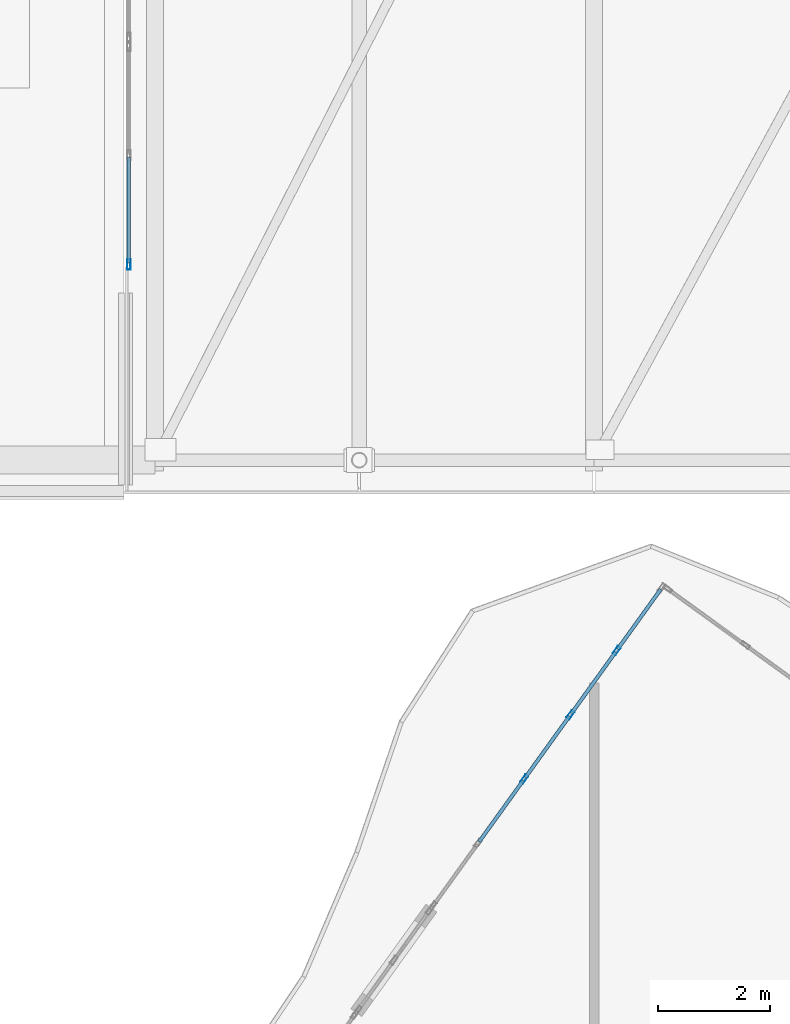
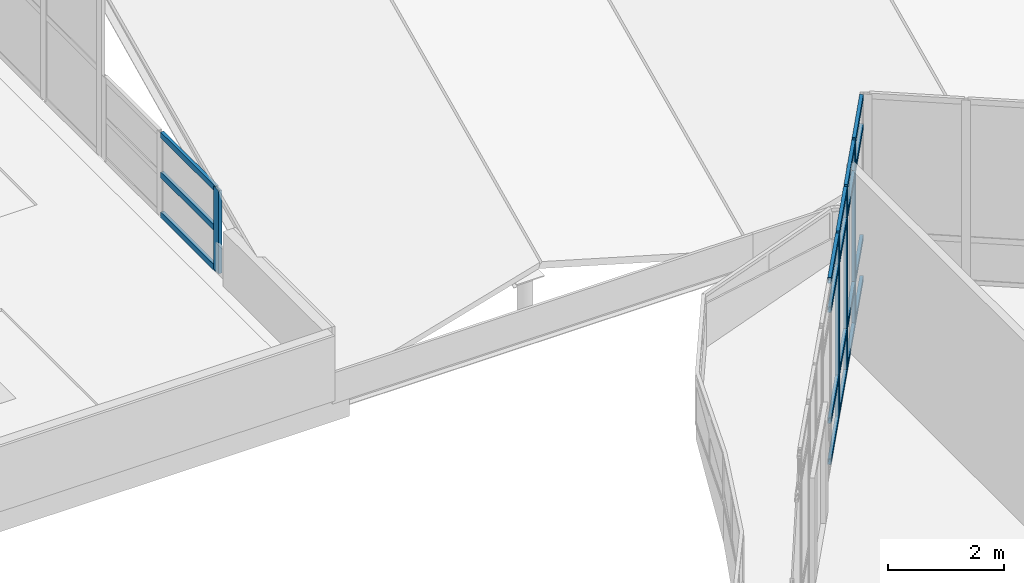
# One storey, part 26 of 184: 23 members, 2 elements without a shape of their own.
"""IFC4 building model written with IfcOpenShell, lengths in metres."""

from ifc_helpers import new_model, si_unit, direction, frame, origin, origin_2d, place, context, subcontext, project, spatial, hollow_rectangle, extrude, material, material_profile, profile_set, type_object, element, aggregate, save


model = new_model("IFC4")

# Units and contexts
model_context = context("Model", 3, precision=1e-05, world=origin(), true_north=direction((0.0, 1.0)))
body_context = subcontext(model_context, "Body", "Model", "MODEL_VIEW")
ifc_project = project(units=[si_unit("LENGTHUNIT", "METRE"), si_unit("AREAUNIT", "SQUARE_METRE"), si_unit("VOLUMEUNIT", "CUBIC_METRE"), si_unit("PLANEANGLEUNIT", "RADIAN"), si_unit("MASSUNIT", "GRAM", prefix="KILO")], contexts=[model_context])

# Site, building, storey
site_placement = place(None, origin())
site = spatial("IfcSite", under=ifc_project, at=site_placement, CompositionType="ELEMENT")
building_placement = place(site_placement, origin())
building = spatial("IfcBuilding", under=site, at=building_placement, Name="Selatvlak General Hospital", CompositionType="ELEMENT")
storey_placement = place(building_placement, frame((0.0, 0.0, 15.0)))
storey = spatial("IfcBuildingStorey", under=building, at=storey_placement, Name="L03", CompositionType="ELEMENT", Elevation=15.0)

# Curtain wall, members
ifc_material_1 = material(Name="Solar-control Low-E double glazing", Category="glass")
curtain_wall_type_1 = type_object("IfcCurtainWallType", Name="CW-CW-01", PredefinedType="USERDEFINED", material=ifc_material_1)
curtain_wall_1_placement = place(storey_placement, origin())
curtain_wall_1 = element("IfcCurtainWall", 1, at=curtain_wall_1_placement, inside=storey, type_object=curtain_wall_type_1, Name="Glazed facade curtain wall CW-L03-0441", ObjectType="UNITISED CURTAIN WALL", PredefinedType="USERDEFINED")
ifc_material_2 = material(Name="Dark anodised aluminium mullion", Category="aluminium")
ifc_material_profile_1 = material_profile(ifc_material_2, hollow_rectangle(XDim=0.06494140625, YDim=0.159912109375, WallThickness=0.00390625, at=origin_2d()), Name="AL-MUL 65x160x4")
ifc_profile_set_1 = profile_set([ifc_material_profile_1], Name="Dark anodised aluminium mullion")
member_type_1 = type_object("IfcMemberType", Name="CWM-01", PredefinedType="MULLION", material=ifc_profile_set_1)
member_1_placement = place(storey_placement, frame((29.94970703125, 46.848388671875, 0.0), z_axis=(0.0, 0.0, 1.0), x_axis=(-0.811837318502, 0.583883694145, 0.0)))
member_1 = element("IfcMember", 2, at=member_1_placement, type_object=member_type_1, Name="CW-01 mullion 3", PredefinedType="MULLION", context=body_context, shape_type="SweptSolid", body=[
    extrude(hollow_rectangle(XDim=0.06494140625, YDim=0.159912109375, WallThickness=0.00390625, at=origin_2d()), origin(), (0.0, 0.0, 1.0), 3.89501953125),
])
member_2_placement = place(storey_placement, frame((30.775390625, 47.99658203125, 0.0), z_axis=(0.0, 0.0, 1.0), x_axis=(-0.811837318502, 0.583883694145, 0.0)))
member_2 = element("IfcMember", 3, at=member_2_placement, type_object=member_type_1, Name="CW-01 mullion 4", PredefinedType="MULLION", context=body_context, shape_type="SweptSolid", body=[
    extrude(hollow_rectangle(XDim=0.06494140625, YDim=0.159912109375, WallThickness=0.00390625, at=origin_2d()), origin(), (0.0, 0.0, 1.0), 3.89501953125),
])
member_3_placement = place(storey_placement, frame((31.601318359375, 49.144775390625, 0.0), z_axis=(0.0, 0.0, 1.0), x_axis=(-0.811837318502, 0.583883694145, 0.0)))
member_3 = element("IfcMember", 4, at=member_3_placement, type_object=member_type_1, Name="CW-01 mullion 5", PredefinedType="MULLION", context=body_context, shape_type="SweptSolid", body=[
    extrude(hollow_rectangle(XDim=0.06494140625, YDim=0.159912109375, WallThickness=0.00390625, at=origin_2d()), origin(), (0.0, 0.0, 1.0), 3.89501953125),
])

# Curtain wall, member
curtain_wall_type_2 = type_object("IfcCurtainWallType", Name="CW-CW-05", PredefinedType="USERDEFINED", material=ifc_material_1)
curtain_wall_2_placement = place(storey_placement, origin())
curtain_wall_2 = element("IfcCurtainWall", 5, at=curtain_wall_2_placement, inside=storey, type_object=curtain_wall_type_2, Name="Glazed facade curtain wall CW-L03-0723", ObjectType="STICK GLAZING WALL", PredefinedType="USERDEFINED")
ifc_material_profile_2 = material_profile(ifc_material_2, hollow_rectangle(XDim=0.06494140625, YDim=0.179931640625, WallThickness=0.00439453125, at=origin_2d()), Name="AL-MUL 65x180x4.5")
ifc_profile_set_2 = profile_set([ifc_material_profile_2], Name="Dark anodised aluminium mullion")
member_type_2 = type_object("IfcMemberType", Name="CWM-02", PredefinedType="MULLION", material=ifc_profile_set_2)
member_4_placement = place(storey_placement, frame((22.8798828125, 56.047607421875, 0.0), z_axis=(0.0, 0.0, 1.0), x_axis=(-1.0, 0.0, 0.0)))
member_4 = element("IfcMember", 6, at=member_4_placement, type_object=member_type_2, Name="CW-05 mullion 1", PredefinedType="MULLION", context=body_context, shape_type="SweptSolid", body=[
    extrude(hollow_rectangle(XDim=0.06494140625, YDim=0.179931640625, WallThickness=0.00439453125, at=origin_2d()), origin(), (0.0, 0.0, 1.0), 1.75),
])

# Member
ifc_material_profile_3 = material_profile(ifc_material_2, hollow_rectangle(XDim=0.06494140625, YDim=0.1201171875, WallThickness=0.00390625, at=origin_2d()), Name="AL-TRN 65x120x4")
ifc_profile_set_3 = profile_set([ifc_material_profile_3], Name="Dark anodised aluminium mullion")
member_type_3 = type_object("IfcMemberType", Name="CWT-01", PredefinedType="USERDEFINED", material=ifc_profile_set_3)
member_5_placement = place(storey_placement, frame((29.142822265625, 45.7265625, 0.032470703125), z_axis=(0.583870898815, 0.811846520912, 0.0), x_axis=(-0.811846520912, 0.583870898815, 0.0)))
member_5 = element("IfcMember", 7, at=member_5_placement, type_object=member_type_3, Name="CW-01 transom 2.1", ObjectType="TRANSOM", PredefinedType="USERDEFINED", context=body_context, shape_type="SweptSolid", body=[
    extrude(hollow_rectangle(XDim=0.06494140625, YDim=0.1201171875, WallThickness=0.00390625, at=origin_2d()), origin(), (0.0, 0.0, 1.0), 1.349365234375),
])

member_6_placement = place(storey_placement, frame((29.142822265625, 45.7265625, 0.89990234375), z_axis=(0.583870898815, 0.811846520912, 0.0), x_axis=(-0.811846520912, 0.583870898815, 0.0)))
member_6 = element("IfcMember", 8, at=member_6_placement, type_object=member_type_3, Name="CW-01 transom 2.2", ObjectType="TRANSOM", PredefinedType="USERDEFINED", context=body_context, shape_type="SweptSolid", body=[
    extrude(hollow_rectangle(XDim=0.06494140625, YDim=0.1201171875, WallThickness=0.00390625, at=origin_2d()), origin(), (0.0, 0.0, 1.0), 1.349365234375),
])

member_7_placement = place(storey_placement, frame((29.142822265625, 45.7265625, 3.2451171875), z_axis=(0.583870898815, 0.811846520912, 0.0), x_axis=(-0.811846520912, 0.583870898815, 0.0)))
member_7 = element("IfcMember", 9, at=member_7_placement, type_object=member_type_3, Name="CW-01 transom 2.3", ObjectType="TRANSOM", PredefinedType="USERDEFINED", context=body_context, shape_type="SweptSolid", body=[
    extrude(hollow_rectangle(XDim=0.06494140625, YDim=0.1201171875, WallThickness=0.00390625, at=origin_2d()), origin(), (0.0, 0.0, 1.0), 1.349365234375),
])

member_8_placement = place(storey_placement, frame((29.142822265625, 45.7265625, 3.862548828125), z_axis=(0.583870898815, 0.811846520912, 0.0), x_axis=(-0.811846520912, 0.583870898815, 0.0)))
member_8 = element("IfcMember", 10, at=member_8_placement, type_object=member_type_3, Name="CW-01 transom 2.4", ObjectType="TRANSOM", PredefinedType="USERDEFINED", context=body_context, shape_type="SweptSolid", body=[
    extrude(hollow_rectangle(XDim=0.06494140625, YDim=0.1201171875, WallThickness=0.00390625, at=origin_2d()), origin(), (0.0, 0.0, 1.0), 1.349365234375),
])

member_9_placement = place(storey_placement, frame((29.968505859375, 46.874755859375, 0.032470703125), z_axis=(0.583870898815, 0.811846520912, 0.0), x_axis=(-0.811846520912, 0.583870898815, 0.0)))
member_9 = element("IfcMember", 11, at=member_9_placement, type_object=member_type_3, Name="CW-01 transom 3.1", ObjectType="TRANSOM", PredefinedType="USERDEFINED", context=body_context, shape_type="SweptSolid", body=[
    extrude(hollow_rectangle(XDim=0.06494140625, YDim=0.1201171875, WallThickness=0.00390625, at=origin_2d()), origin(), (0.0, 0.0, 1.0), 1.349365234375),
])

member_10_placement = place(storey_placement, frame((29.968505859375, 46.874755859375, 0.89990234375), z_axis=(0.583870898815, 0.811846520912, 0.0), x_axis=(-0.811846520912, 0.583870898815, 0.0)))
member_10 = element("IfcMember", 12, at=member_10_placement, type_object=member_type_3, Name="CW-01 transom 3.2", ObjectType="TRANSOM", PredefinedType="USERDEFINED", context=body_context, shape_type="SweptSolid", body=[
    extrude(hollow_rectangle(XDim=0.06494140625, YDim=0.1201171875, WallThickness=0.00390625, at=origin_2d()), origin(), (0.0, 0.0, 1.0), 1.349365234375),
])

member_11_placement = place(storey_placement, frame((29.968505859375, 46.874755859375, 3.2451171875), z_axis=(0.583870898815, 0.811846520912, 0.0), x_axis=(-0.811846520912, 0.583870898815, 0.0)))
member_11 = element("IfcMember", 13, at=member_11_placement, type_object=member_type_3, Name="CW-01 transom 3.3", ObjectType="TRANSOM", PredefinedType="USERDEFINED", context=body_context, shape_type="SweptSolid", body=[
    extrude(hollow_rectangle(XDim=0.06494140625, YDim=0.1201171875, WallThickness=0.00390625, at=origin_2d()), origin(), (0.0, 0.0, 1.0), 1.349365234375),
])

member_12_placement = place(storey_placement, frame((29.968505859375, 46.874755859375, 3.862548828125), z_axis=(0.583870898815, 0.811846520912, 0.0), x_axis=(-0.811846520912, 0.583870898815, 0.0)))
member_12 = element("IfcMember", 14, at=member_12_placement, type_object=member_type_3, Name="CW-01 transom 3.4", ObjectType="TRANSOM", PredefinedType="USERDEFINED", context=body_context, shape_type="SweptSolid", body=[
    extrude(hollow_rectangle(XDim=0.06494140625, YDim=0.1201171875, WallThickness=0.00390625, at=origin_2d()), origin(), (0.0, 0.0, 1.0), 1.349365234375),
])

member_13_placement = place(storey_placement, frame((30.79443359375, 48.02294921875, 0.032470703125), z_axis=(0.583870898815, 0.811846520912, 0.0), x_axis=(-0.811846520912, 0.583870898815, 0.0)))
member_13 = element("IfcMember", 15, at=member_13_placement, type_object=member_type_3, Name="CW-01 transom 4.1", ObjectType="TRANSOM", PredefinedType="USERDEFINED", context=body_context, shape_type="SweptSolid", body=[
    extrude(hollow_rectangle(XDim=0.06494140625, YDim=0.1201171875, WallThickness=0.00390625, at=origin_2d()), origin(), (0.0, 0.0, 1.0), 1.349365234375),
])

member_14_placement = place(storey_placement, frame((30.79443359375, 48.02294921875, 0.89990234375), z_axis=(0.583870898815, 0.811846520912, 0.0), x_axis=(-0.811846520912, 0.583870898815, 0.0)))
member_14 = element("IfcMember", 16, at=member_14_placement, type_object=member_type_3, Name="CW-01 transom 4.2", ObjectType="TRANSOM", PredefinedType="USERDEFINED", context=body_context, shape_type="SweptSolid", body=[
    extrude(hollow_rectangle(XDim=0.06494140625, YDim=0.1201171875, WallThickness=0.00390625, at=origin_2d()), origin(), (0.0, 0.0, 1.0), 1.349365234375),
])

member_15_placement = place(storey_placement, frame((30.79443359375, 48.02294921875, 3.2451171875), z_axis=(0.583870898815, 0.811846520912, 0.0), x_axis=(-0.811846520912, 0.583870898815, 0.0)))
member_15 = element("IfcMember", 17, at=member_15_placement, type_object=member_type_3, Name="CW-01 transom 4.3", ObjectType="TRANSOM", PredefinedType="USERDEFINED", context=body_context, shape_type="SweptSolid", body=[
    extrude(hollow_rectangle(XDim=0.06494140625, YDim=0.1201171875, WallThickness=0.00390625, at=origin_2d()), origin(), (0.0, 0.0, 1.0), 1.349365234375),
])

member_16_placement = place(storey_placement, frame((30.79443359375, 48.02294921875, 3.862548828125), z_axis=(0.583870898815, 0.811846520912, 0.0), x_axis=(-0.811846520912, 0.583870898815, 0.0)))
member_16 = element("IfcMember", 18, at=member_16_placement, type_object=member_type_3, Name="CW-01 transom 4.4", ObjectType="TRANSOM", PredefinedType="USERDEFINED", context=body_context, shape_type="SweptSolid", body=[
    extrude(hollow_rectangle(XDim=0.06494140625, YDim=0.1201171875, WallThickness=0.00390625, at=origin_2d()), origin(), (0.0, 0.0, 1.0), 1.349365234375),
])

member_17_placement = place(storey_placement, frame((31.6201171875, 49.171142578125, 0.032470703125), z_axis=(0.583953050917, 0.811787431736, 0.0), x_axis=(-0.811787431736, 0.583953050917, 0.0)))
member_17 = element("IfcMember", 19, at=member_17_placement, type_object=member_type_3, Name="CW-01 transom 5.1", ObjectType="TRANSOM", PredefinedType="USERDEFINED", context=body_context, shape_type="SweptSolid", body=[
    extrude(hollow_rectangle(XDim=0.06494140625, YDim=0.1201171875, WallThickness=0.00390625, at=origin_2d()), origin(), (0.0, 0.0, 1.0), 1.31689453125),
])

member_18_placement = place(storey_placement, frame((31.6201171875, 49.171142578125, 0.89990234375), z_axis=(0.583953050917, 0.811787431736, 0.0), x_axis=(-0.811787431736, 0.583953050917, 0.0)))
member_18 = element("IfcMember", 20, at=member_18_placement, type_object=member_type_3, Name="CW-01 transom 5.2", ObjectType="TRANSOM", PredefinedType="USERDEFINED", context=body_context, shape_type="SweptSolid", body=[
    extrude(hollow_rectangle(XDim=0.06494140625, YDim=0.1201171875, WallThickness=0.00390625, at=origin_2d()), origin(), (0.0, 0.0, 1.0), 1.31689453125),
])

member_19_placement = place(storey_placement, frame((31.6201171875, 49.171142578125, 3.2451171875), z_axis=(0.583953050917, 0.811787431736, 0.0), x_axis=(-0.811787431736, 0.583953050917, 0.0)))
member_19 = element("IfcMember", 21, at=member_19_placement, type_object=member_type_3, Name="CW-01 transom 5.3", ObjectType="TRANSOM", PredefinedType="USERDEFINED", context=body_context, shape_type="SweptSolid", body=[
    extrude(hollow_rectangle(XDim=0.06494140625, YDim=0.1201171875, WallThickness=0.00390625, at=origin_2d()), origin(), (0.0, 0.0, 1.0), 1.31689453125),
])

member_20_placement = place(storey_placement, frame((31.6201171875, 49.171142578125, 3.862548828125), z_axis=(0.583953050917, 0.811787431736, 0.0), x_axis=(-0.811787431736, 0.583953050917, 0.0)))
member_20 = element("IfcMember", 22, at=member_20_placement, type_object=member_type_3, Name="CW-01 transom 5.4", ObjectType="TRANSOM", PredefinedType="USERDEFINED", context=body_context, shape_type="SweptSolid", body=[
    extrude(hollow_rectangle(XDim=0.06494140625, YDim=0.1201171875, WallThickness=0.00390625, at=origin_2d()), origin(), (0.0, 0.0, 1.0), 1.31689453125),
])

aggregate(curtain_wall_1, [member_1, member_2, member_3, member_5, member_6, member_7, member_8, member_9, member_10, member_11, member_12, member_13, member_14, member_15, member_16, member_17, member_18, member_19, member_20])

member_21_placement = place(storey_placement, frame((22.8798828125, 56.080078125, 0.032470703125), z_axis=(0.0, 1.0, 0.0), x_axis=(-1.0, 0.0, 0.0)))
member_21 = element("IfcMember", 23, at=member_21_placement, type_object=member_type_3, Name="CW-05 transom 1.1", ObjectType="TRANSOM", PredefinedType="USERDEFINED", context=body_context, shape_type="SweptSolid", body=[
    extrude(hollow_rectangle(XDim=0.06494140625, YDim=0.1201171875, WallThickness=0.00390625, at=origin_2d()), origin(), (0.0, 0.0, 1.0), 1.887451171875),
])

member_22_placement = place(storey_placement, frame((22.8798828125, 56.080078125, 0.875), z_axis=(0.0, 1.0, 0.0), x_axis=(-1.0, 0.0, 0.0)))
member_22 = element("IfcMember", 24, at=member_22_placement, type_object=member_type_3, Name="CW-05 transom 1.2", ObjectType="TRANSOM", PredefinedType="USERDEFINED", context=body_context, shape_type="SweptSolid", body=[
    extrude(hollow_rectangle(XDim=0.06494140625, YDim=0.1201171875, WallThickness=0.00390625, at=origin_2d()), origin(), (0.0, 0.0, 1.0), 1.887451171875),
])

member_23_placement = place(storey_placement, frame((22.8798828125, 56.080078125, 1.717529296875), z_axis=(0.0, 1.0, 0.0), x_axis=(-1.0, 0.0, 0.0)))
member_23 = element("IfcMember", 25, at=member_23_placement, type_object=member_type_3, Name="CW-05 transom 1.3", ObjectType="TRANSOM", PredefinedType="USERDEFINED", context=body_context, shape_type="SweptSolid", body=[
    extrude(hollow_rectangle(XDim=0.06494140625, YDim=0.1201171875, WallThickness=0.00390625, at=origin_2d()), origin(), (0.0, 0.0, 1.0), 1.887451171875),
])

aggregate(curtain_wall_2, [member_4, member_21, member_22, member_23])

save(model, "model.ifc")
